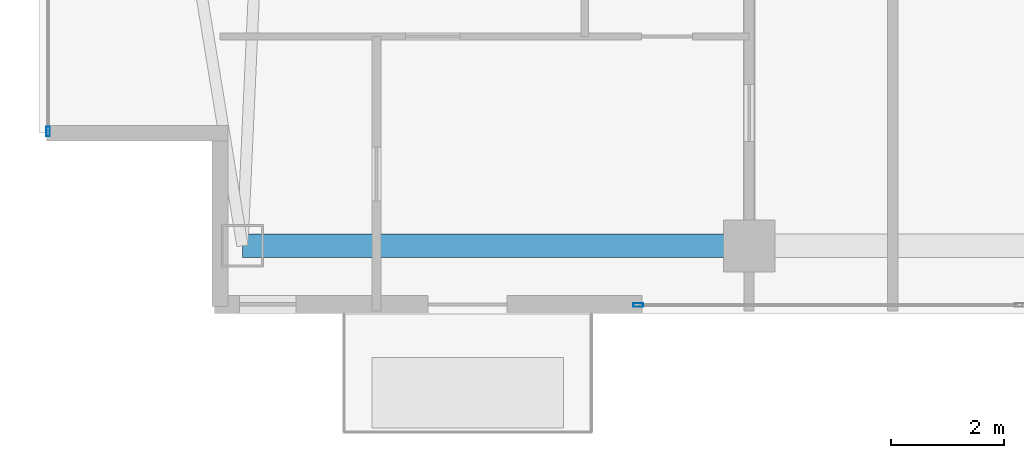
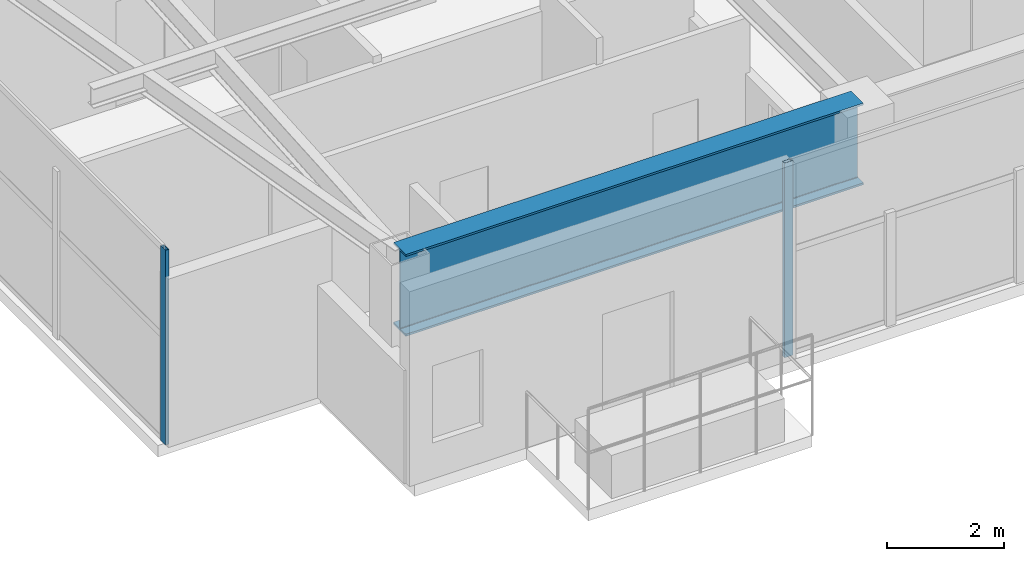
# One storey, part 2 of 26: 2 members, 1 beam, 2 elements without a shape of their own.
"""IFC4 building model written with IfcOpenShell, lengths in metres."""

from ifc_helpers import new_model, si_unit, direction, frame, origin, origin_2d, place, context, subcontext, project, spatial, hollow_rectangle, i_section, extrude, material, layer, layer_set, material_profile, profile_set, type_object, element, aggregate, save


model = new_model("IFC4")

# Units and contexts
model_context = context("Model", 3, precision=1e-05, world=origin(), true_north=direction((0.0, 1.0)))
body_context = subcontext(model_context, "Body", "Model", "MODEL_VIEW")
ifc_project = project(units=[si_unit("LENGTHUNIT", "METRE"), si_unit("AREAUNIT", "SQUARE_METRE"), si_unit("VOLUMEUNIT", "CUBIC_METRE"), si_unit("PLANEANGLEUNIT", "RADIAN"), si_unit("MASSUNIT", "GRAM", prefix="KILO")], contexts=[model_context])

# Site, building, storey
site_placement = place(None, origin())
site = spatial("IfcSite", under=ifc_project, at=site_placement, CompositionType="ELEMENT")
building_placement = place(site_placement, origin())
building = spatial("IfcBuilding", under=site, at=building_placement, Name="Calvorn Quay Hotel", CompositionType="ELEMENT")
storey_placement = place(building_placement, frame((0.0, 0.0, 302.5)))
storey = spatial("IfcBuildingStorey", under=building, at=storey_placement, Name="L75", CompositionType="ELEMENT", Elevation=302.5)

# Beam
ifc_material_1 = material(Name="Steel Q420GJC", Category="steel")
ifc_material_profile_1 = material_profile(ifc_material_1, i_section(OverallWidth=0.419921875, OverallDepth=1.699951171875, WebThickness=0.02392578125, FlangeThickness=0.0419921875, FilletRadius=0.02392578125, at=origin_2d()), Name="HN1700x420x24x42")
ifc_profile_set_1 = profile_set([ifc_material_profile_1], Name="Steel Q420GJC")
beam_type = type_object("IfcBeamType", Name="BM-XFER-SAWTOOTH", PredefinedType="BEAM", material=ifc_profile_set_1)
beam_placement = place(storey_placement, frame((3.60009765625, 3.60009765625, 3.199951171875), z_axis=(1.0, 0.0, 0.0), x_axis=(0.0, 1.0, 0.0)))
element("IfcBeam", 1, at=beam_placement, inside=storey, type_object=beam_type, Name="Beam BSP-L75-S1", PredefinedType="BEAM", context=body_context, shape_type="SweptSolid", body=[
    extrude(i_section(OverallWidth=0.419921875, OverallDepth=1.699951171875, WebThickness=0.02392578125, FlangeThickness=0.0419921875, FilletRadius=0.02392578125, at=origin_2d()), origin(), (0.0, 0.0, 1.0), 9.0),
])

# Curtain wall, member
ifc_material_2 = material(Name="Champagne Bronze Anodised Aluminium and Low-E Glass", Category="aluminium")
ifc_layer = layer(ifc_material_2, 0.219970703125)
ifc_layer_set = layer_set([ifc_layer], Name="CW-SYS-Z4")
curtain_wall_type = type_object("IfcCurtainWallType", Name="CW-SYS-Z4", PredefinedType="NOTDEFINED", material=ifc_layer_set)
curtain_wall_1_placement = place(storey_placement, origin())
curtain_wall_1 = element("IfcCurtainWall", 2, at=curtain_wall_1_placement, inside=storey, type_object=curtain_wall_type, Name="Tower West Curtain Wall (L75)", PredefinedType="NOTDEFINED")
ifc_material_3 = material(Name="Champagne Bronze Anodised Aluminium 6063-T6", Category="aluminium")
ifc_material_profile_2 = material_profile(ifc_material_3, hollow_rectangle(XDim=0.06494140625, YDim=0.169921875, WallThickness=0.00341796875, at=origin_2d()), Name="ALU-M170x65x3.5")
ifc_profile_set_2 = profile_set([ifc_material_profile_2], Name="Champagne Bronze Anodised Aluminium 6063-T6")
member_type = type_object("IfcMemberType", Name="CW-SYS-Z4-MUL", PredefinedType="MULLION", material=ifc_profile_set_2)
member_1_placement = place(storey_placement, frame((0.14990234375, 5.6298828125, 0.0), z_axis=(0.0, 0.0, 1.0), x_axis=(-1.0, 0.0, 0.0)))
member_1 = element("IfcMember", 3, at=member_1_placement, type_object=member_type, Name="CW-L75-W mullion 1", PredefinedType="MULLION", context=body_context, shape_type="SweptSolid", body=[
    extrude(hollow_rectangle(XDim=0.06494140625, YDim=0.169921875, WallThickness=0.00341796875, at=origin_2d()), origin(), (0.0, 0.0, 1.0), 4.050048828125),
])
aggregate(curtain_wall_1, [member_1])

curtain_wall_2_placement = place(storey_placement, origin())
curtain_wall_2 = element("IfcCurtainWall", 4, at=curtain_wall_2_placement, inside=storey, type_object=curtain_wall_type, Name="Tower South Waterfront Curtain Wall (L75)", PredefinedType="NOTDEFINED")
member_2_placement = place(storey_placement, frame((10.6298828125, 2.550048828125, 0.0), z_axis=(0.0, 0.0, 1.0), x_axis=(0.0, 1.0, 0.0)))
member_2 = element("IfcMember", 5, at=member_2_placement, type_object=member_type, Name="CW-L75-S mullion 1", PredefinedType="MULLION", context=body_context, shape_type="SweptSolid", body=[
    extrude(hollow_rectangle(XDim=0.06494140625, YDim=0.169921875, WallThickness=0.00341796875, at=origin_2d()), origin(), (0.0, 0.0, 1.0), 4.050048828125),
])
aggregate(curtain_wall_2, [member_2])

save(model, "model.ifc")
